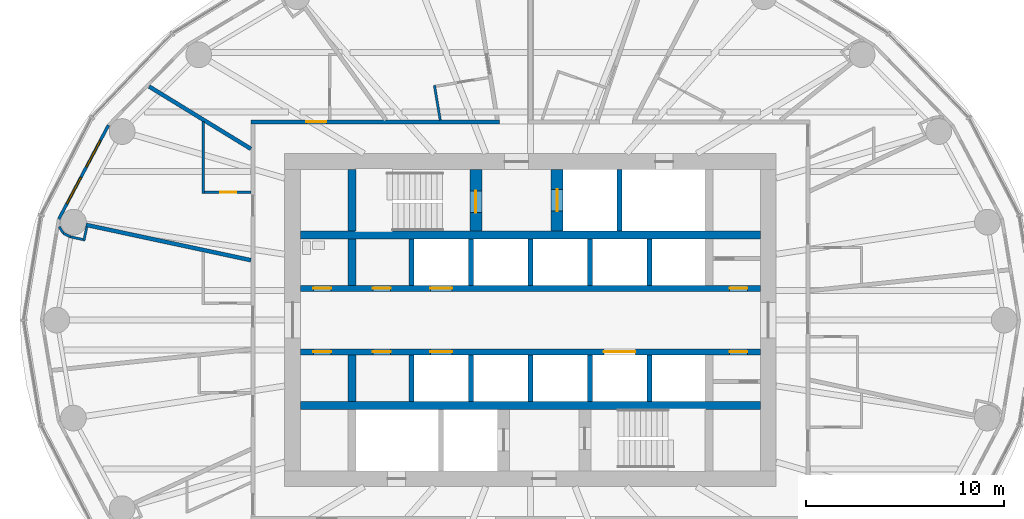
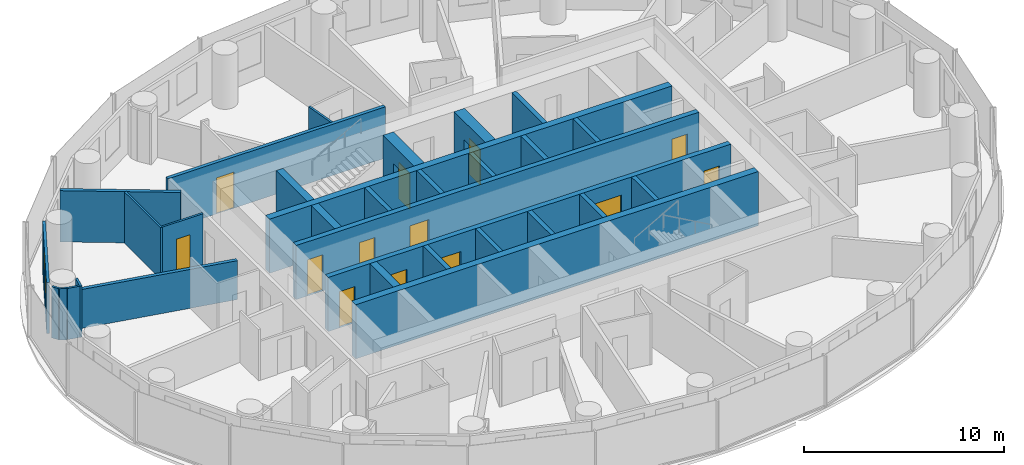
# One storey, part 8 of 14: 31 walls, 13 doors, 2 windows, 15 openings.
"""IFC4 building model written with IfcOpenShell, lengths in metres."""

from ifc_helpers import new_model, si_unit, direction, frame, frame_2d, origin, place, context, subcontext, project, spatial, rectangle, extrude, material, layer, layer_set, type_object, element, fill, save


model = new_model("IFC4")

# Units and contexts
model_context = context("Model", 3, precision=1e-05, world=origin(), true_north=direction((0.0, 1.0)))
body_context = subcontext(model_context, "Body", "Model", "MODEL_VIEW")
ifc_project = project(units=[si_unit("LENGTHUNIT", "METRE"), si_unit("AREAUNIT", "SQUARE_METRE"), si_unit("VOLUMEUNIT", "CUBIC_METRE"), si_unit("PLANEANGLEUNIT", "RADIAN"), si_unit("MASSUNIT", "GRAM", prefix="KILO")], contexts=[model_context])

# Site, building, storey
site_placement = place(None, origin())
site = spatial("IfcSite", under=ifc_project, at=site_placement, CompositionType="ELEMENT")
building_placement = place(site_placement, origin())
building = spatial("IfcBuilding", under=site, at=building_placement, Name="Hankou Lantern Tower", CompositionType="ELEMENT")
storey_placement = place(building_placement, frame((0.0, 0.0, 108.89990234375)))
storey = spatial("IfcBuildingStorey", under=building, at=storey_placement, Name="L27", CompositionType="ELEMENT", Elevation=108.89990234375)

# Walls
ifc_material_1 = material(Name="Concrete C60", Category="concrete")
ifc_layer_1 = layer(ifc_material_1, 0.39990234375)
ifc_layer_set_1 = layer_set([ifc_layer_1], Name="Concrete C60")
wall_type_1 = type_object("IfcWallType", Name="CW4 CORE CROSS WALL 400", PredefinedType="SHEAR", material=ifc_layer_set_1)
for number, where, z_axis, x_axis, name in (
    (1, (-11.60009765625, 4.300048828125, 0.0), (0.0, 0.0, 1.0), (1.0, 0.0, 0.0), "Core band wall north L27"),
    (2, (-11.60009765625, -4.300048828125, 0.0), (0.0, 0.0, 1.0), (1.0, 0.0, 0.0), "Core band wall south L27"),
):
    element("IfcWall", number, at=place(storey_placement, frame(where, z_axis=z_axis, x_axis=x_axis)), inside=storey, type_object=wall_type_1, Name=name, PredefinedType="SHEAR", context=body_context, shape_type="SweptSolid", body=[
        extrude(rectangle(XDim=23.2001953125, YDim=0.39990234375, at=frame_2d((11.60009765625, 0.0))), origin(), (0.0, 0.0, 1.0), 3.300048828125),
    ])
wall_1_placement = place(storey_placement, frame((-9.0, 4.5, 0.0), z_axis=(0.0, 0.0, 1.0), x_axis=(0.0, 1.0, 0.0)))
element("IfcWall", 3, at=wall_1_placement, inside=storey, type_object=wall_type_1, Name="Core strip wall L27", PredefinedType="SHEAR", context=body_context, shape_type="SweptSolid", body=[
    extrude(rectangle(XDim=3.10009765625, YDim=0.39990234375, at=frame_2d((1.550048828125, 0.0))), origin(), (0.0, 0.0, 1.0), 3.300048828125),
])
for number, where, z_axis, x_axis, name in (
    (4, (-9.0, 1.75, 0.0), (0.0, 0.0, 1.0), (0.0, 1.0, 0.0), "Core strip wall L27"),
    (5, (-9.0, -4.10009765625, 0.0), (0.0, 0.0, 1.0), (0.0, 1.0, 0.0), "Core strip wall L27"),
):
    element("IfcWall", number, at=place(storey_placement, frame(where, z_axis=z_axis, x_axis=x_axis)), inside=storey, type_object=wall_type_1, Name=name, PredefinedType="SHEAR", context=body_context, shape_type="SweptSolid", body=[
        extrude(rectangle(XDim=2.35009765625, YDim=0.39990234375, at=frame_2d((1.175048828125, 0.0))), origin(), (0.0, 0.0, 1.0), 3.300048828125),
    ])

# Wall, openings, doors
ifc_material_2 = material(Name="Concrete C60", Category="concrete")
ifc_layer_2 = layer(ifc_material_2, 0.300048828125)
ifc_layer_set_2 = layer_set([ifc_layer_2], Name="Concrete C60")
wall_type_2 = type_object("IfcWallType", Name="CW5 LIFT LOBBY WALL 300", PredefinedType="SHEAR", material=ifc_layer_set_2)
wall_2_placement = place(storey_placement, frame((-11.60009765625, 1.60009765625, 0.0), z_axis=(0.0, 0.0, 1.0), x_axis=(1.0, 0.0, 0.0)))
wall_2 = element("IfcWall", 6, at=wall_2_placement, inside=storey, type_object=wall_type_2, Name="Lift lobby wall north L27", PredefinedType="SHEAR", context=body_context, shape_type="SweptSolid", body=[
    extrude(rectangle(XDim=23.2001953125, YDim=0.300048828125, at=frame_2d((11.60009765625, 0.0))), origin(), (0.0, 0.0, 1.0), 3.300048828125),
])
opening_1_placement = place(wall_2_placement, frame((6.550048828125, 0.0, 0.0)))
opening_1 = element("IfcOpeningElement", 7, at=opening_1_placement, cuts=wall_2, Name="Opening LD1", PredefinedType="OPENING", context=body_context, shape_type="SweptSolid", body=[
    extrude(rectangle(XDim=1.10009765625, YDim=2.199951171875, at=frame_2d((0.550048828125, 1.10009765625))), frame((0.0, 0.159912109375, 0.0), z_axis=(0.0, -1.0, 0.0), x_axis=(1.0, 0.0, 0.0)), (0.0, 0.0, 1.0), 0.320068359375),
])
opening_2_placement = place(wall_2_placement, frame((0.64990234375, 0.0, 0.0)))
opening_2 = element("IfcOpeningElement", 8, at=opening_2_placement, cuts=wall_2, Name="Opening D30", PredefinedType="OPENING", context=body_context, shape_type="SweptSolid", body=[
    extrude(rectangle(XDim=0.89990234375, YDim=2.199951171875, at=frame_2d((0.449951171875, 1.10009765625))), frame((0.0, 0.159912109375, 0.0), z_axis=(0.0, -1.0, 0.0), x_axis=(1.0, 0.0, 0.0)), (0.0, 0.0, 1.0), 0.320068359375),
])
opening_3_placement = place(wall_2_placement, frame((3.64990234375, 0.0, 0.0)))
opening_3 = element("IfcOpeningElement", 9, at=opening_3_placement, cuts=wall_2, Name="Opening D30", PredefinedType="OPENING", context=body_context, shape_type="SweptSolid", body=[
    extrude(rectangle(XDim=0.89990234375, YDim=2.199951171875, at=frame_2d((0.449951171875, 1.10009765625))), frame((0.0, 0.159912109375, 0.0), z_axis=(0.0, -1.0, 0.0), x_axis=(1.0, 0.0, 0.0)), (0.0, 0.0, 1.0), 0.320068359375),
])
opening_4_placement = place(wall_2_placement, frame((21.64990234375, 0.0, 0.0)))
opening_4 = element("IfcOpeningElement", 10, at=opening_4_placement, cuts=wall_2, Name="Opening D30", PredefinedType="OPENING", context=body_context, shape_type="SweptSolid", body=[
    extrude(rectangle(XDim=0.89990234375, YDim=2.199951171875, at=frame_2d((0.449951171875, 1.10009765625))), frame((0.0, 0.159912109375, 0.0), z_axis=(0.0, -1.0, 0.0), x_axis=(1.0, 0.0, 0.0)), (0.0, 0.0, 1.0), 0.320068359375),
])
ifc_material_3 = material(Name="Steel door leaf", Category="steel")
door_type_1 = type_object("IfcDoorType", Name="D30 CORE ROOM DOOR 900X2200", OperationType="SINGLE_SWING_LEFT", PredefinedType="DOOR", material=ifc_material_3)
door_1_placement = place(opening_2_placement, origin())
door_1 = element("IfcDoor", 11, at=door_1_placement, inside=storey, type_object=door_type_1, Name="Accessible staff WC door", OperationType="SINGLE_SWING_LEFT", OverallHeight=2.199951171875, OverallWidth=0.89990234375, PredefinedType="DOOR", context=body_context, shape_type="SweptSolid", body=[
    extrude(rectangle(XDim=0.89990234375, YDim=2.199951171875, at=frame_2d((0.449951171875, 1.10009765625))), frame((0.0, 0.02490234375, 0.0), z_axis=(0.0, -1.0, 0.0), x_axis=(1.0, 0.0, 0.0)), (0.0, 0.0, 1.0), 0.050048828125),
])
fill(opening_2, door_1)
door_2_placement = place(opening_3_placement, origin())
door_2 = element("IfcDoor", 12, at=door_2_placement, inside=storey, type_object=door_type_1, Name="Staff locker room door", OperationType="SINGLE_SWING_LEFT", OverallHeight=2.199951171875, OverallWidth=0.89990234375, PredefinedType="DOOR", context=body_context, shape_type="SweptSolid", body=[
    extrude(rectangle(XDim=0.89990234375, YDim=2.199951171875, at=frame_2d((0.449951171875, 1.10009765625))), frame((0.0, 0.02490234375, 0.0), z_axis=(0.0, -1.0, 0.0), x_axis=(1.0, 0.0, 0.0)), (0.0, 0.0, 1.0), 0.050048828125),
])
fill(opening_3, door_2)
door_3_placement = place(opening_4_placement, origin())
door_3 = element("IfcDoor", 13, at=door_3_placement, inside=storey, type_object=door_type_1, Name="IT and telecoms room door", OperationType="SINGLE_SWING_RIGHT", OverallHeight=2.199951171875, OverallWidth=0.89990234375, PredefinedType="DOOR", context=body_context, shape_type="SweptSolid", body=[
    extrude(rectangle(XDim=0.89990234375, YDim=2.199951171875, at=frame_2d((0.449951171875, 1.10009765625))), frame((0.0, 0.02490234375, 0.0), z_axis=(0.0, -1.0, 0.0), x_axis=(1.0, 0.0, 0.0)), (0.0, 0.0, 1.0), 0.050048828125),
])
fill(opening_4, door_3)
ifc_material_4 = material(Name="Steel door leaf", Category="steel")
door_type_2 = type_object("IfcDoorType", Name="LD1 LIFT LANDING DOOR 1100X2200", OperationType="DOUBLE_DOOR_SLIDING", PredefinedType="DOOR", material=ifc_material_4)
door_4_placement = place(opening_1_placement, origin())
door_4 = element("IfcDoor", 14, at=door_4_placement, inside=storey, type_object=door_type_2, Name="Lift M1 landing door", OperationType="DOUBLE_DOOR_SLIDING", OverallHeight=2.199951171875, OverallWidth=1.10009765625, PredefinedType="DOOR", context=body_context, shape_type="SweptSolid", body=[
    extrude(rectangle(XDim=1.10009765625, YDim=2.199951171875, at=frame_2d((0.550048828125, 1.10009765625))), frame((0.0, 0.02490234375, 0.0), z_axis=(0.0, -1.0, 0.0), x_axis=(1.0, 0.0, 0.0)), (0.0, 0.0, 1.0), 0.050048828125),
])
fill(opening_1, door_4)

wall_3_placement = place(storey_placement, frame((-11.60009765625, -1.60009765625, 0.0), z_axis=(0.0, 0.0, 1.0), x_axis=(1.0, 0.0, 0.0)))
wall_3 = element("IfcWall", 15, at=wall_3_placement, inside=storey, type_object=wall_type_2, Name="Lift lobby wall south L27", PredefinedType="SHEAR", context=body_context, shape_type="SweptSolid", body=[
    extrude(rectangle(XDim=23.2001953125, YDim=0.300048828125, at=frame_2d((11.60009765625, 0.0))), origin(), (0.0, 0.0, 1.0), 3.300048828125),
])
opening_5_placement = place(wall_3_placement, frame((6.550048828125, 0.0, 0.0)))
opening_5 = element("IfcOpeningElement", 16, at=opening_5_placement, cuts=wall_3, Name="Opening LD1", PredefinedType="OPENING", context=body_context, shape_type="SweptSolid", body=[
    extrude(rectangle(XDim=1.10009765625, YDim=2.199951171875, at=frame_2d((0.550048828125, 1.10009765625))), frame((0.0, 0.159912109375, 0.0), z_axis=(0.0, -1.0, 0.0), x_axis=(1.0, 0.0, 0.0)), (0.0, 0.0, 1.0), 0.320068359375),
])
opening_6_placement = place(wall_3_placement, frame((15.300048828125, 0.0, 0.0)))
opening_6 = element("IfcOpeningElement", 17, at=opening_6_placement, cuts=wall_3, Name="Opening LD4", PredefinedType="OPENING", context=body_context, shape_type="SweptSolid", body=[
    extrude(rectangle(XDim=1.60009765625, YDim=2.39990234375, at=frame_2d((0.800048828125, 1.199951171875))), frame((0.0, 0.159912109375, 0.0), z_axis=(0.0, -1.0, 0.0), x_axis=(1.0, 0.0, 0.0)), (0.0, 0.0, 1.0), 0.320068359375),
])
opening_7_placement = place(wall_3_placement, frame((0.64990234375, 0.0, 0.0)))
opening_7 = element("IfcOpeningElement", 18, at=opening_7_placement, cuts=wall_3, Name="Opening D30", PredefinedType="OPENING", context=body_context, shape_type="SweptSolid", body=[
    extrude(rectangle(XDim=0.89990234375, YDim=2.199951171875, at=frame_2d((0.449951171875, 1.10009765625))), frame((0.0, 0.159912109375, 0.0), z_axis=(0.0, -1.0, 0.0), x_axis=(1.0, 0.0, 0.0)), (0.0, 0.0, 1.0), 0.320068359375),
])
opening_8_placement = place(wall_3_placement, frame((3.64990234375, 0.0, 0.0)))
opening_8 = element("IfcOpeningElement", 19, at=opening_8_placement, cuts=wall_3, Name="Opening D30", PredefinedType="OPENING", context=body_context, shape_type="SweptSolid", body=[
    extrude(rectangle(XDim=0.89990234375, YDim=2.199951171875, at=frame_2d((0.449951171875, 1.10009765625))), frame((0.0, 0.159912109375, 0.0), z_axis=(0.0, -1.0, 0.0), x_axis=(1.0, 0.0, 0.0)), (0.0, 0.0, 1.0), 0.320068359375),
])
opening_9_placement = place(wall_3_placement, frame((21.64990234375, 0.0, 0.0)))
opening_9 = element("IfcOpeningElement", 20, at=opening_9_placement, cuts=wall_3, Name="Opening D30", PredefinedType="OPENING", context=body_context, shape_type="SweptSolid", body=[
    extrude(rectangle(XDim=0.89990234375, YDim=2.199951171875, at=frame_2d((0.449951171875, 1.10009765625))), frame((0.0, 0.159912109375, 0.0), z_axis=(0.0, -1.0, 0.0), x_axis=(1.0, 0.0, 0.0)), (0.0, 0.0, 1.0), 0.320068359375),
])
door_5_placement = place(opening_7_placement, origin())
door_5 = element("IfcDoor", 21, at=door_5_placement, inside=storey, type_object=door_type_1, Name="Engineering store door", OperationType="SINGLE_SWING_LEFT", OverallHeight=2.199951171875, OverallWidth=0.89990234375, PredefinedType="DOOR", context=body_context, shape_type="SweptSolid", body=[
    extrude(rectangle(XDim=0.89990234375, YDim=2.199951171875, at=frame_2d((0.449951171875, 1.10009765625))), frame((0.0, 0.02490234375, 0.0), z_axis=(0.0, -1.0, 0.0), x_axis=(1.0, 0.0, 0.0)), (0.0, 0.0, 1.0), 0.050048828125),
])
fill(opening_7, door_5)
door_6_placement = place(opening_8_placement, origin())
door_6 = element("IfcDoor", 22, at=door_6_placement, inside=storey, type_object=door_type_1, Name="Housekeeping and linen store door", OperationType="SINGLE_SWING_LEFT", OverallHeight=2.199951171875, OverallWidth=0.89990234375, PredefinedType="DOOR", context=body_context, shape_type="SweptSolid", body=[
    extrude(rectangle(XDim=0.89990234375, YDim=2.199951171875, at=frame_2d((0.449951171875, 1.10009765625))), frame((0.0, 0.02490234375, 0.0), z_axis=(0.0, -1.0, 0.0), x_axis=(1.0, 0.0, 0.0)), (0.0, 0.0, 1.0), 0.050048828125),
])
fill(opening_8, door_6)
door_7_placement = place(opening_9_placement, origin())
door_7 = element("IfcDoor", 23, at=door_7_placement, inside=storey, type_object=door_type_1, Name="Minibar store door", OperationType="SINGLE_SWING_RIGHT", OverallHeight=2.199951171875, OverallWidth=0.89990234375, PredefinedType="DOOR", context=body_context, shape_type="SweptSolid", body=[
    extrude(rectangle(XDim=0.89990234375, YDim=2.199951171875, at=frame_2d((0.449951171875, 1.10009765625))), frame((0.0, 0.02490234375, 0.0), z_axis=(0.0, -1.0, 0.0), x_axis=(1.0, 0.0, 0.0)), (0.0, 0.0, 1.0), 0.050048828125),
])
fill(opening_9, door_7)
door_8_placement = place(opening_5_placement, origin())
door_8 = element("IfcDoor", 24, at=door_8_placement, inside=storey, type_object=door_type_2, Name="Lift M2 landing door", OperationType="DOUBLE_DOOR_SLIDING", OverallHeight=2.199951171875, OverallWidth=1.10009765625, PredefinedType="DOOR", context=body_context, shape_type="SweptSolid", body=[
    extrude(rectangle(XDim=1.10009765625, YDim=2.199951171875, at=frame_2d((0.550048828125, 1.10009765625))), frame((0.0, 0.02490234375, 0.0), z_axis=(0.0, -1.0, 0.0), x_axis=(1.0, 0.0, 0.0)), (0.0, 0.0, 1.0), 0.050048828125),
])
fill(opening_5, door_8)
ifc_material_5 = material(Name="Steel door leaf", Category="steel")
door_type_3 = type_object("IfcDoorType", Name="LD4 SERVICE LIFT LANDING DOOR 1600X2400", OperationType="DOUBLE_DOOR_SLIDING", PredefinedType="DOOR", material=ifc_material_5)
door_9_placement = place(opening_6_placement, origin())
door_9 = element("IfcDoor", 25, at=door_9_placement, inside=storey, type_object=door_type_3, Name="Lift SV1 landing door", OperationType="DOUBLE_DOOR_SLIDING", OverallHeight=2.39990234375, OverallWidth=1.60009765625, PredefinedType="DOOR", context=body_context, shape_type="SweptSolid", body=[
    extrude(rectangle(XDim=1.60009765625, YDim=2.39990234375, at=frame_2d((0.800048828125, 1.199951171875))), frame((0.0, 0.02490234375, 0.0), z_axis=(0.0, -1.0, 0.0), x_axis=(1.0, 0.0, 0.0)), (0.0, 0.0, 1.0), 0.050048828125),
])
fill(opening_6, door_9)

# Wall, opening, door
ifc_material_6 = material(Name="Concrete C60", Category="concrete")
ifc_layer_3 = layer(ifc_material_6, 0.60009765625)
ifc_layer_set_3 = layer_set([ifc_layer_3], Name="Concrete C60")
wall_type_3 = type_object("IfcWallType", Name="CW6 STAIR AND SHAFT WALL 600", PredefinedType="SHEAR", material=ifc_layer_set_3)
wall_4_placement = place(storey_placement, frame((-2.75, 4.5, 0.0), z_axis=(0.0, 0.0, 1.0), x_axis=(0.0, 1.0, 0.0)))
wall_4 = element("IfcWall", 26, at=wall_4_placement, inside=storey, type_object=wall_type_3, Name="Stair wall L27", PredefinedType="SHEAR", context=body_context, shape_type="SweptSolid", body=[
    extrude(rectangle(XDim=3.10009765625, YDim=0.60009765625, at=frame_2d((1.550048828125, 0.0))), origin(), (0.0, 0.0, 1.0), 3.300048828125),
])
opening_10_placement = place(wall_4_placement, frame((0.925048828125, 0.0, 0.0)))
opening_10 = element("IfcOpeningElement", 27, at=opening_10_placement, cuts=wall_4, Name="Opening D4", PredefinedType="OPENING", context=body_context, shape_type="SweptSolid", body=[
    extrude(rectangle(XDim=1.10009765625, YDim=2.199951171875, at=frame_2d((0.550048828125, 1.10009765625))), frame((0.0, 0.31005859375, 0.0), z_axis=(0.0, -1.0, 0.0), x_axis=(1.0, 0.0, 0.0)), (0.0, 0.0, 1.0), 0.6201171875),
])
ifc_material_7 = material(Name="Steel door leaf", Category="steel")
door_type_4 = type_object("IfcDoorType", Name="D4 STAIR DOOR 1100X2200", OperationType="SINGLE_SWING_LEFT", PredefinedType="DOOR", material=ifc_material_7)
door_10_placement = place(opening_10_placement, origin())
door_10 = element("IfcDoor", 28, at=door_10_placement, inside=storey, type_object=door_type_4, Name="Stair A door", OperationType="SINGLE_SWING_LEFT", OverallHeight=2.199951171875, OverallWidth=1.10009765625, PredefinedType="DOOR", context=body_context, shape_type="SweptSolid", body=[
    extrude(rectangle(XDim=1.10009765625, YDim=2.199951171875, at=frame_2d((0.550048828125, 1.10009765625))), frame((0.0, 0.02490234375, 0.0), z_axis=(0.0, -1.0, 0.0), x_axis=(1.0, 0.0, 0.0)), (0.0, 0.0, 1.0), 0.050048828125),
])
fill(opening_10, door_10)

wall_5_placement = place(storey_placement, frame((1.35009765625, 4.5, 0.0), z_axis=(0.0, 0.0, 1.0), x_axis=(0.0, 1.0, 0.0)))
wall_5 = element("IfcWall", 29, at=wall_5_placement, inside=storey, type_object=wall_type_3, Name="Firefighting lift shaft wall L27", PredefinedType="SHEAR", context=body_context, shape_type="SweptSolid", body=[
    extrude(rectangle(XDim=3.10009765625, YDim=0.60009765625, at=frame_2d((1.550048828125, 0.0))), origin(), (0.0, 0.0, 1.0), 3.300048828125),
])
opening_11_placement = place(wall_5_placement, frame((1.0, 0.0, 0.0)))
opening_11 = element("IfcOpeningElement", 30, at=opening_11_placement, cuts=wall_5, Name="Opening LD2", PredefinedType="OPENING", context=body_context, shape_type="SweptSolid", body=[
    extrude(rectangle(XDim=1.10009765625, YDim=2.199951171875, at=frame_2d((0.550048828125, 1.10009765625))), frame((0.0, 0.31005859375, 0.0), z_axis=(0.0, -1.0, 0.0), x_axis=(1.0, 0.0, 0.0)), (0.0, 0.0, 1.0), 0.6201171875),
])
ifc_material_8 = material(Name="Steel door leaf", Category="steel")
door_type_5 = type_object("IfcDoorType", Name="LD2 FIREFIGHTING LIFT LANDING DOOR 1100X2200", OperationType="DOUBLE_DOOR_SLIDING", PredefinedType="DOOR", material=ifc_material_8)
door_11_placement = place(opening_11_placement, origin())
door_11 = element("IfcDoor", 31, at=door_11_placement, inside=storey, type_object=door_type_5, Name="Firefighting lift FL1 landing door", OperationType="DOUBLE_DOOR_SLIDING", OverallHeight=2.199951171875, OverallWidth=1.10009765625, PredefinedType="DOOR", context=body_context, shape_type="SweptSolid", body=[
    extrude(rectangle(XDim=1.10009765625, YDim=2.199951171875, at=frame_2d((0.550048828125, 1.10009765625))), frame((0.0, 0.02490234375, 0.0), z_axis=(0.0, -1.0, 0.0), x_axis=(1.0, 0.0, 0.0)), (0.0, 0.0, 1.0), 0.050048828125),
])
fill(opening_11, door_11)

# Wall, openings, windows
ifc_material_9 = material(Name="Aluminium spandrel panel on steel studs", Category="steel")
ifc_layer_4 = layer(ifc_material_9, 0.14990234375)
ifc_layer_set_4 = layer_set([ifc_layer_4], Name="Aluminium spandrel panel on steel studs")
wall_type_4 = type_object("IfcWallType", Name="EW1 INNER SKIN WALL 150", PredefinedType="ELEMENTEDWALL", material=ifc_layer_set_4)
wall_6_placement = place(storey_placement, frame((-21.287353515625, 9.83203125, 0.0), z_axis=(0.0, 0.0, 1.0), x_axis=(-0.467814388454, -0.883826735257, 0.0)))
wall_6 = element("IfcWall", 32, at=wall_6_placement, inside=storey, type_object=wall_type_4, Name="Inner skin R11-R12 L27", PredefinedType="ELEMENTEDWALL", context=body_context, shape_type="SweptSolid", body=[
    extrude(rectangle(XDim=5.35400390625, YDim=0.14990234375, at=frame_2d((2.677001953125, 0.0))), origin(), (0.0, 0.0, 1.0), 3.1201171875),
])
opening_12_placement = place(wall_6_placement, frame((0.876953125, 0.0, 0.89990234375)))
opening_12 = element("IfcOpeningElement", 33, at=opening_12_placement, cuts=wall_6, Name="Opening W2", PredefinedType="OPENING", context=body_context, shape_type="SweptSolid", body=[
    extrude(rectangle(XDim=1.5, YDim=1.89990234375, at=frame_2d((0.75, 0.949951171875))), frame((0.0, 0.0849609375, 0.0), z_axis=(0.0, -1.0, 0.0), x_axis=(1.0, 0.0, 0.0)), (0.0, 0.0, 1.0), 0.169921875),
])
opening_13_placement = place(wall_6_placement, frame((2.97705078125, 0.0, 0.89990234375)))
opening_13 = element("IfcOpeningElement", 34, at=opening_13_placement, cuts=wall_6, Name="Opening W2", PredefinedType="OPENING", context=body_context, shape_type="SweptSolid", body=[
    extrude(rectangle(XDim=1.5, YDim=1.89990234375, at=frame_2d((0.75, 0.949951171875))), frame((0.0, 0.0849609375, 0.0), z_axis=(0.0, -1.0, 0.0), x_axis=(1.0, 0.0, 0.0)), (0.0, 0.0, 1.0), 0.169921875),
])
ifc_material_10 = material(Name="Aluminium framed double glazed window", Category="aluminium")
window_type = type_object("IfcWindowType", Name="W2 GUEST ROOM WINDOW 1500X1900", PartitioningType="DOUBLE_PANEL_VERTICAL", PredefinedType="WINDOW", material=ifc_material_10)
window_1_placement = place(opening_12_placement, origin())
window_1 = element("IfcWindow", 35, at=window_1_placement, inside=storey, type_object=window_type, Name="Window R11.1 L27", OverallHeight=1.89990234375, OverallWidth=1.5, PartitioningType="SINGLE_PANEL", PredefinedType="WINDOW", context=body_context, shape_type="SweptSolid", body=[
    extrude(rectangle(XDim=1.5, YDim=1.89990234375, at=frame_2d((0.75, 0.949951171875))), frame((0.0, 0.030029296875, 0.0), z_axis=(0.0, -1.0, 0.0), x_axis=(1.0, 0.0, 0.0)), (0.0, 0.0, 1.0), 0.06005859375),
])
fill(opening_12, window_1)
window_2_placement = place(opening_13_placement, origin())
window_2 = element("IfcWindow", 36, at=window_2_placement, inside=storey, type_object=window_type, Name="Window R11.2 L27", OverallHeight=1.89990234375, OverallWidth=1.5, PartitioningType="SINGLE_PANEL", PredefinedType="WINDOW", context=body_context, shape_type="SweptSolid", body=[
    extrude(rectangle(XDim=1.5, YDim=1.89990234375, at=frame_2d((0.75, 0.949951171875))), frame((0.0, 0.030029296875, 0.0), z_axis=(0.0, -1.0, 0.0), x_axis=(1.0, 0.0, 0.0)), (0.0, 0.0, 1.0), 0.06005859375),
])
fill(opening_13, window_2)

# Walls
ifc_material_11 = material(Name="Masonry lightweight concrete block", Category="masonry")
ifc_layer_5 = layer(ifc_material_11, 0.199951171875)
ifc_layer_set_5 = layer_set([ifc_layer_5], Name="Masonry lightweight concrete block")
wall_type_5 = type_object("IfcWallType", Name="IW1 GUEST ROOM PARTY WALL 200", PredefinedType="PARTITIONING", material=ifc_layer_set_5)
wall_7_placement = place(storey_placement, frame((-14.10009765625, 8.6376953125, 0.0), z_axis=(0.0, 0.0, 1.0), x_axis=(-0.852706758009, 0.5223898782, 0.0)))
element("IfcWall", 37, at=wall_7_placement, inside=storey, type_object=wall_type_5, Name="Party wall R10-R11", PredefinedType="PARTITIONING", context=body_context, shape_type="SweptSolid", body=[
    extrude(rectangle(XDim=6.0185546875, YDim=0.199951171875, at=frame_2d((3.00927734375, 0.0))), origin(), (0.0, 0.0, 1.0), 3.1201171875),
])
wall_8_placement = place(storey_placement, frame((-14.10009765625, 3.0224609375, 0.0), z_axis=(0.0, 0.0, 1.0), x_axis=(-0.977783513367, 0.209617272638, 0.0)))
element("IfcWall", 38, at=wall_8_placement, inside=storey, type_object=wall_type_5, Name="Party wall R12", PredefinedType="PARTITIONING", context=body_context, shape_type="SweptSolid", body=[
    extrude(rectangle(XDim=8.508056640625, YDim=0.199951171875, at=frame_2d((4.25390625, 0.0))), origin(), (0.0, 0.0, 1.0), 2.3701171875),
])

# Wall, opening, door
ifc_material_12 = material(Name="Masonry lightweight concrete block", Category="masonry")
ifc_layer_6 = layer(ifc_material_12, 0.199951171875)
ifc_layer_set_6 = layer_set([ifc_layer_6], Name="Masonry lightweight concrete block")
wall_type_6 = type_object("IfcWallType", Name="IW2 CORRIDOR WALL 200", PredefinedType="PARTITIONING", material=ifc_layer_set_6)
wall_9_placement = place(storey_placement, frame((-14.10009765625, 10.0, 0.0), z_axis=(0.0, 0.0, 1.0), x_axis=(1.0, 0.0, 0.0)))
wall_9 = element("IfcWall", 39, at=wall_9_placement, inside=storey, type_object=wall_type_6, Name="Corridor wall north", PredefinedType="PARTITIONING", context=body_context, shape_type="SweptSolid", body=[
    extrude(rectangle(XDim=12.534912109375, YDim=0.199951171875, at=frame_2d((6.267578125, 0.0))), origin(), (0.0, 0.0, 1.0), 3.1201171875),
])
opening_14_placement = place(wall_9_placement, frame((2.801025390625, 0.0, 0.0)))
opening_14 = element("IfcOpeningElement", 40, at=opening_14_placement, cuts=wall_9, Name="Opening D1", PredefinedType="OPENING", context=body_context, shape_type="SweptSolid", body=[
    extrude(rectangle(XDim=1.0, YDim=2.199951171875, at=frame_2d((0.5, 1.10009765625))), frame((0.0, 0.10986328125, 0.0), z_axis=(0.0, -1.0, 0.0), x_axis=(1.0, 0.0, 0.0)), (0.0, 0.0, 1.0), 0.219970703125),
])
ifc_material_13 = material(Name="Steel door leaf", Category="steel")
door_type_6 = type_object("IfcDoorType", Name="D1 GUEST ROOM DOOR 1000X2200", OperationType="SINGLE_SWING_LEFT", PredefinedType="DOOR", material=ifc_material_13)
door_12_placement = place(opening_14_placement, origin())
door_12 = element("IfcDoor", 41, at=door_12_placement, inside=storey, type_object=door_type_6, Name="Guest room door 2705", OperationType="SINGLE_SWING_RIGHT", OverallHeight=2.199951171875, OverallWidth=1.0, PredefinedType="DOOR", context=body_context, shape_type="SweptSolid", body=[
    extrude(rectangle(XDim=1.0, YDim=2.199951171875, at=frame_2d((0.5, 1.10009765625))), frame((0.0, 0.02490234375, 0.0), z_axis=(0.0, -1.0, 0.0), x_axis=(1.0, 0.0, 0.0)), (0.0, 0.0, 1.0), 0.050048828125),
])
fill(opening_14, door_12)

# Walls
ifc_material_14 = material(Name="Masonry lightweight concrete block", Category="masonry")
ifc_layer_7 = layer(ifc_material_14, 0.1201171875)
ifc_layer_set_7 = layer_set([ifc_layer_7], Name="Masonry lightweight concrete block")
wall_type_7 = type_object("IfcWallType", Name="IW3 BATHROOM WALL 120", PredefinedType="PARTITIONING", material=ifc_layer_set_7)
wall_10_placement = place(storey_placement, frame((-4.551025390625, 10.083740234375, 0.0), z_axis=(0.0, 0.0, 1.0), x_axis=(-0.162625830583, 0.986687812445, 0.0)))
element("IfcWall", 42, at=wall_10_placement, inside=storey, type_object=wall_type_7, Name="Box wall 2704 1", PredefinedType="PARTITIONING", context=body_context, shape_type="SweptSolid", body=[
    extrude(rectangle(XDim=1.786376953125, YDim=0.1201171875, at=frame_2d((0.89306640625, 0.0))), origin(), (0.0, 0.0, 1.0), 3.1201171875),
])
wall_11_placement = place(storey_placement, frame((-16.5, 10.008056640625, 0.0), z_axis=(0.0, 0.0, 1.0), x_axis=(0.0, -1.0, 0.0)))
element("IfcWall", 43, at=wall_11_placement, inside=storey, type_object=wall_type_7, Name="Box wall 2706 1", PredefinedType="PARTITIONING", context=body_context, shape_type="SweptSolid", body=[
    extrude(rectangle(XDim=3.6103515625, YDim=0.1201171875, at=frame_2d((1.80517578125, 0.0))), origin(), (0.0, 0.0, 1.0), 3.1201171875),
])

# Wall, opening, door
wall_12_placement = place(storey_placement, frame((-14.10009765625, 6.457763671875, 0.0), z_axis=(0.0, 0.0, 1.0), x_axis=(-1.0, 0.0, 0.0)))
wall_12 = element("IfcWall", 44, at=wall_12_placement, inside=storey, type_object=wall_type_7, Name="Box wall 2706 1", PredefinedType="PARTITIONING", context=body_context, shape_type="SweptSolid", body=[
    extrude(rectangle(XDim=2.33984375, YDim=0.1201171875, at=frame_2d((1.169921875, 0.0))), origin(), (0.0, 0.0, 1.0), 3.1201171875),
])
opening_15_placement = place(wall_12_placement, frame((0.75, 0.0, 0.0)))
opening_15 = element("IfcOpeningElement", 45, at=opening_15_placement, cuts=wall_12, Name="Opening D3", PredefinedType="OPENING", context=body_context, shape_type="SweptSolid", body=[
    extrude(rectangle(XDim=0.800048828125, YDim=2.10009765625, at=frame_2d((0.39990234375, 1.050048828125))), frame((0.0, 0.070068359375, 0.0), z_axis=(0.0, -1.0, 0.0), x_axis=(1.0, 0.0, 0.0)), (0.0, 0.0, 1.0), 0.14013671875),
])
ifc_material_15 = material(Name="Timber door leaf", Category="wood")
door_type_7 = type_object("IfcDoorType", Name="D3 BATHROOM DOOR 800X2100", OperationType="SINGLE_SWING_LEFT", PredefinedType="DOOR", material=ifc_material_15)
door_13_placement = place(opening_15_placement, origin())
door_13 = element("IfcDoor", 46, at=door_13_placement, inside=storey, type_object=door_type_7, Name="En-suite bathroom 2706 door", OperationType="SINGLE_SWING_LEFT", OverallHeight=2.10009765625, OverallWidth=0.800048828125, PredefinedType="DOOR", context=body_context, shape_type="SweptSolid", body=[
    extrude(rectangle(XDim=0.800048828125, YDim=2.10009765625, at=frame_2d((0.39990234375, 1.050048828125))), frame((0.0, 0.02490234375, 0.0), z_axis=(0.0, -1.0, 0.0), x_axis=(1.0, 0.0, 0.0)), (0.0, 0.0, 1.0), 0.050048828125),
])
fill(opening_15, door_13)

# Walls
ifc_material_16 = material(Name="Masonry lightweight concrete block", Category="masonry")
ifc_layer_8 = layer(ifc_material_16, 0.1201171875)
ifc_layer_set_8 = layer_set([ifc_layer_8], Name="Masonry lightweight concrete block")
wall_type_8 = type_object("IfcWallType", Name="IW4 PARTITION 120", PredefinedType="PARTITIONING", material=ifc_layer_set_8)
wall_13_placement = place(storey_placement, frame((-22.381591796875, 4.6953125, 0.0), z_axis=(0.0, 0.0, 1.0), x_axis=(-0.209808658628, -0.977742464438, 0.0)))
element("IfcWall", 47, at=wall_13_placement, inside=storey, type_object=wall_type_8, Name="Column casing R12 return", PredefinedType="PARTITIONING", context=body_context, shape_type="SweptSolid", body=[
    extrude(rectangle(XDim=0.715576171875, YDim=0.1201171875, at=frame_2d((0.35791015625, 0.0))), origin(), (0.0, 0.0, 1.0), 3.1201171875),
])
wall_14_placement = place(storey_placement, frame((-22.57763671875, 4.06689453125, 0.0), z_axis=(0.0, 0.0, 1.0), x_axis=(-0.977802414077, 0.209529088731, 0.0)))
element("IfcWall", 48, at=wall_14_placement, inside=storey, type_object=wall_type_8, Name="Column casing R12", PredefinedType="PARTITIONING", context=body_context, shape_type="SweptSolid", body=[
    extrude(rectangle(XDim=0.650146484375, YDim=0.1201171875, at=frame_2d((0.3251953125, 0.0))), origin(), (0.0, 0.0, 1.0), 3.1201171875),
])
for number, where, z_axis, x_axis, name in (
    (49, (-23.21337890625, 4.203125, 0.0), (0.0, 0.0, 1.0), (-0.890142184171, 0.455682885305, 0.0), "Column casing R12"),
    (50, (-23.5615234375, 4.38134765625, 0.0), (0.0, 0.0, 1.0), (-0.543121848217, 0.839653891784, 0.0), "Column casing R12"),
):
    element("IfcWall", number, at=place(storey_placement, frame(where, z_axis=z_axis, x_axis=x_axis)), inside=storey, type_object=wall_type_8, Name=name, PredefinedType="PARTITIONING", context=body_context, shape_type="SweptSolid", body=[
        extrude(rectangle(XDim=0.39111328125, YDim=0.1201171875, at=frame_2d((0.195556640625, 0.0))), origin(), (0.0, 0.0, 1.0), 3.1201171875),
    ])
ifc_material_17 = material(Name="Masonry autoclaved aerated concrete block", Category="masonry")
ifc_layer_9 = layer(ifc_material_17, 0.25)
ifc_layer_set_9 = layer_set([ifc_layer_9], Name="Masonry autoclaved aerated concrete block")
wall_type_9 = type_object("IfcWallType", Name="SW1 SHAFT BLOCK WALL 250", PredefinedType="PARTITIONING", material=ifc_layer_set_9)
wall_15_placement = place(storey_placement, frame((4.5, 4.5, 0.0), z_axis=(0.0, 0.0, 1.0), x_axis=(0.0, 1.0, 0.0)))
element("IfcWall", 51, at=wall_15_placement, inside=storey, type_object=wall_type_9, Name="Riser wall L27", PredefinedType="PARTITIONING", context=body_context, shape_type="SweptSolid", body=[
    extrude(rectangle(XDim=3.10009765625, YDim=0.25, at=frame_2d((1.550048828125, 0.0))), origin(), (0.0, 0.0, 1.0), 3.300048828125),
])
for number, where, z_axis, x_axis, name in (
    (52, (-6.0, 1.75, 0.0), (0.0, 0.0, 1.0), (0.0, 1.0, 0.0), "Lift shaft wall L27"),
    (53, (-3.0, 1.75, 0.0), (0.0, 0.0, 1.0), (0.0, 1.0, 0.0), "Lift shaft wall L27"),
    (54, (0.0, 1.75, 0.0), (0.0, 0.0, 1.0), (0.0, 1.0, 0.0), "Lift shaft wall L27"),
    (55, (3.0, 1.75, 0.0), (0.0, 0.0, 1.0), (0.0, 1.0, 0.0), "Lift shaft wall L27"),
    (56, (6.0, 1.75, 0.0), (0.0, 0.0, 1.0), (0.0, 1.0, 0.0), "Lift shaft wall L27"),
    (57, (-6.0, -4.10009765625, 0.0), (0.0, 0.0, 1.0), (0.0, 1.0, 0.0), "Lift shaft wall L27"),
    (58, (-3.0, -4.10009765625, 0.0), (0.0, 0.0, 1.0), (0.0, 1.0, 0.0), "Lift shaft wall L27"),
    (59, (0.0, -4.10009765625, 0.0), (0.0, 0.0, 1.0), (0.0, 1.0, 0.0), "Lift shaft wall L27"),
    (60, (3.0, -4.10009765625, 0.0), (0.0, 0.0, 1.0), (0.0, 1.0, 0.0), "Lift shaft wall L27"),
    (61, (6.0, -4.10009765625, 0.0), (0.0, 0.0, 1.0), (0.0, 1.0, 0.0), "Lift shaft wall L27"),
):
    element("IfcWall", number, at=place(storey_placement, frame(where, z_axis=z_axis, x_axis=x_axis)), inside=storey, type_object=wall_type_9, Name=name, PredefinedType="PARTITIONING", context=body_context, shape_type="SweptSolid", body=[
        extrude(rectangle(XDim=2.35009765625, YDim=0.25, at=frame_2d((1.175048828125, 0.0))), origin(), (0.0, 0.0, 1.0), 3.300048828125),
    ])

save(model, "model.ifc")
